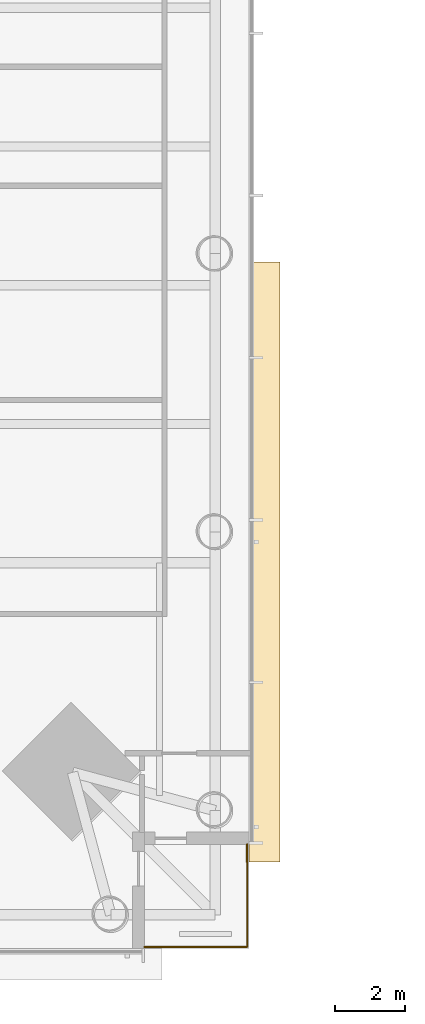
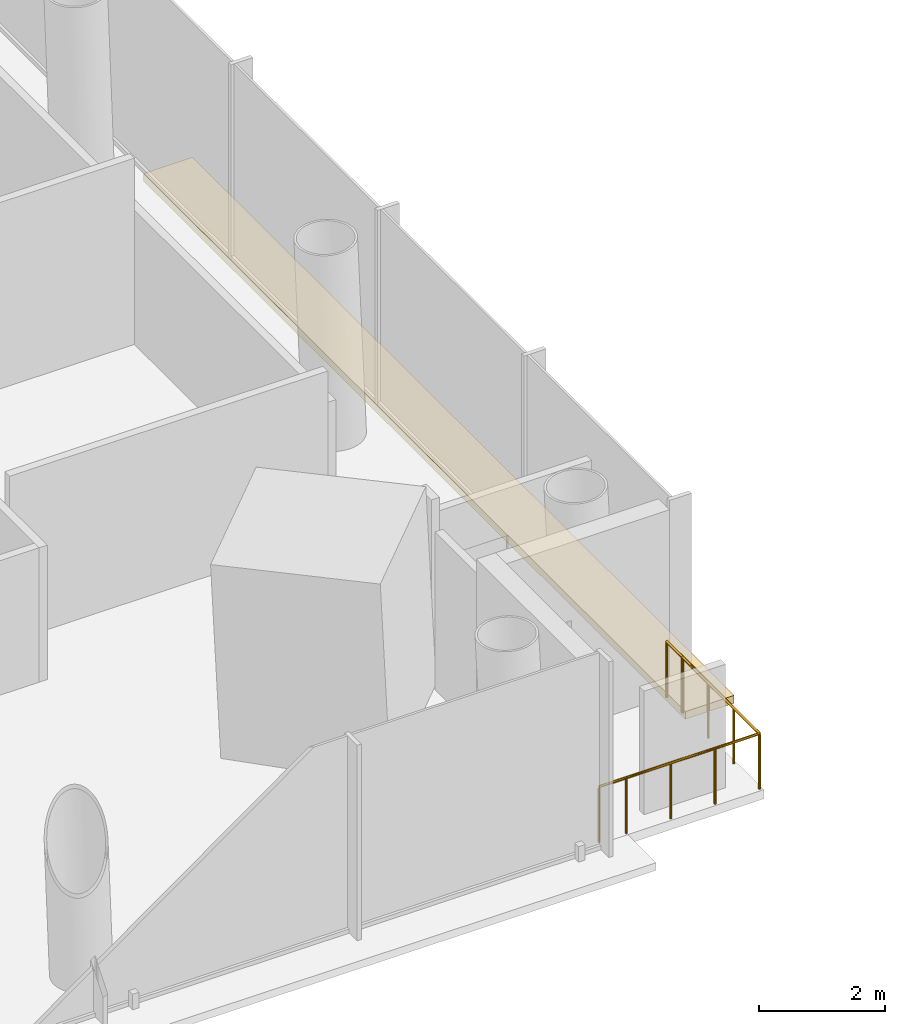
# One storey, part 24 of 26: 3 railings, 1 covering.
"""IFC4 building model written with IfcOpenShell, lengths in metres."""

import ifcopenshell
import ifcopenshell.guid

model = None  # the IFC model being written
_history = None  # IfcOwnerHistory: only IFC2X3 demands one
_inside = {}  # id of a spatial element -> (the spatial element, [elements in it])
_under = {}  # id of a project, library or spatial element -> (it, [spatial elements below it])
_declared = {}  # id of a project -> (the project, [libraries it declares])
_typed = {}  # id of a type object -> (the type object, [elements of that type])
_made_of = {}  # id of a material, layer set ... -> (it, [elements and type objects made of it])


def new_model(schema):
    """Start an empty IFC model of exactly this schema.

    Asked for "IFC4X3", IfcOpenShell would pick the latest addendum, in which some entities
    have other attributes; the version numbers below select the first issue.
    IFC2X3 requires an IfcOwnerHistory on every rooted entity: one is made here for all.
    """
    global model, _history
    if schema == "IFC4X3":
        model = ifcopenshell.file(schema_version=(4, 3, 0, 0))
    else:
        model = ifcopenshell.file(schema=schema)
    _inside.clear()
    _under.clear()
    _declared.clear()
    _typed.clear()
    _made_of.clear()
    _history = None
    if model.schema == "IFC2X3":
        org = make("IfcOrganization", Name="unknown")
        user = make(
            "IfcPersonAndOrganization",
            ThePerson=make("IfcPerson", FamilyName="unknown"),
            TheOrganization=org,
        )
        app = make(
            "IfcApplication",
            ApplicationDeveloper=org,
            Version="unknown",
            ApplicationFullName="unknown",
            ApplicationIdentifier="unknown",
        )
        _history = make(
            "IfcOwnerHistory",
            OwningUser=user,
            OwningApplication=app,
            ChangeAction="ADDED",
            CreationDate=0,
        )
    return model


def make(cls, **values):
    """One entity of the class cls with the attributes given. An attribute that is None is left unset."""
    return model.create_entity(
        cls, **{name: value for name, value in values.items() if value is not None}
    )


def rooted(cls, **values):
    """An entity with a GlobalId (a new one), such as an element, a storey or a relation."""
    return make(cls, GlobalId=ifcopenshell.guid.new(), OwnerHistory=_history, **values)


def si_unit(unit_type, name, prefix=None):
    """IfcSIUnit, for example si_unit("LENGTHUNIT", "METRE", prefix="MILLI")."""
    return make("IfcSIUnit", UnitType=unit_type, Prefix=prefix, Name=name)


def assignment(units):
    """IfcUnitAssignment: the units of a project."""
    return None if units is None else make("IfcUnitAssignment", Units=units)


def point(xyz):
    """IfcCartesianPoint."""
    return None if xyz is None else make("IfcCartesianPoint", Coordinates=xyz)


def direction(xyz):
    """IfcDirection."""
    return None if xyz is None else make("IfcDirection", DirectionRatios=xyz)


def frame(location, z_axis=None, x_axis=None):
    """IfcAxis2Placement3D, a coordinate frame: its origin and axes. An axis left out is left unset."""
    return make(
        "IfcAxis2Placement3D",
        Location=point(location),
        Axis=direction(z_axis),
        RefDirection=direction(x_axis),
    )


def frame_2d(location, x_axis=None):
    """IfcAxis2Placement2D, a coordinate frame in the plane: its origin and x axis."""
    return make(
        "IfcAxis2Placement2D", Location=point(location), RefDirection=direction(x_axis)
    )


def origin():
    """The frame at (0, 0, 0) with its axes left unset."""
    return frame((0.0, 0.0, 0.0))


def origin_2d():
    """The frame at (0, 0) in the plane with its x axis left unset."""
    return frame_2d((0.0, 0.0))


def place(relative_to, where):
    """IfcLocalPlacement: puts the frame where relative to a parent placement (None: the world)."""
    return make(
        "IfcLocalPlacement", PlacementRelTo=relative_to, RelativePlacement=where
    )


def context(
    kind, dimensions, precision=None, world=None, true_north=None, identifier=None
):
    """IfcGeometricRepresentationContext, for example the 3D "Model" context."""
    return make(
        "IfcGeometricRepresentationContext",
        ContextIdentifier=identifier,
        ContextType=kind,
        CoordinateSpaceDimension=dimensions,
        Precision=precision,
        WorldCoordinateSystem=world,
        TrueNorth=true_north,
    )


def subcontext(parent, identifier, kind, view, scale=None):
    """IfcGeometricRepresentationSubContext, for example "Body" below "Model"."""
    return make(
        "IfcGeometricRepresentationSubContext",
        ContextIdentifier=identifier,
        ContextType=kind,
        ParentContext=parent,
        TargetScale=scale,
        TargetView=view,
    )


def project(units=None, contexts=None):
    """IfcProject with its units and contexts."""
    return rooted(
        "IfcProject",
        Name="project",
        RepresentationContexts=contexts,
        UnitsInContext=assignment(units),
    )


def spatial(cls, under=None, at=None, **own):
    """A site, building, storey or space (cls), placed at a placement, below another one or the project."""
    s = rooted(cls, ObjectPlacement=at, **own)
    if under is not None:
        _under.setdefault(under.id(), (under, []))[1].append(s)
    return s


def polyline(points):
    """IfcPolyline through the points."""
    return make("IfcPolyline", Points=[point(p) for p in points])


def profile(cls, at=None, kind="AREA", **sizes):
    """A parametric profile (cls). Its sizes go by their IFC names, for example OverallWidth=200.0."""
    return make(cls, ProfileType=kind, Position=at, **sizes)


def circle(**sizes):
    """IfcCircleProfileDef."""
    return profile("IfcCircleProfileDef", **sizes)


def outline(outer, holes=None, kind="AREA"):
    """IfcArbitraryClosedProfileDef: a profile drawn as a closed curve; with holes, ...WithVoids."""
    if holes is None:
        return make("IfcArbitraryClosedProfileDef", ProfileType=kind, OuterCurve=outer)
    return make(
        "IfcArbitraryProfileDefWithVoids",
        ProfileType=kind,
        OuterCurve=outer,
        InnerCurves=holes,
    )


def extrude(swept, where, along, depth):
    """IfcExtrudedAreaSolid: the profile swept, set in the frame where, extruded along a direction by depth."""
    return make(
        "IfcExtrudedAreaSolid",
        SweptArea=swept,
        Position=where,
        ExtrudedDirection=direction(along),
        Depth=depth,
    )


def shape(context_of_items, identifier, shape_type, items):
    """IfcShapeRepresentation: the items that make up one representation, for example the "Body"."""
    return make(
        "IfcShapeRepresentation",
        ContextOfItems=context_of_items,
        RepresentationIdentifier=identifier,
        RepresentationType=shape_type,
        Items=items,
    )


def material(Name=None, Category=None):
    """IfcMaterial."""
    return make("IfcMaterial", Name=Name, Category=Category)


def layer(
    of_material, thickness, ventilated=None, Name=None, Category=None, Priority=None
):
    """IfcMaterialLayer: one layer of a wall or slab, of a material (None: an air gap)."""
    return make(
        "IfcMaterialLayer",
        Material=of_material,
        LayerThickness=thickness,
        IsVentilated=ventilated,
        Name=Name,
        Category=Category,
        Priority=Priority,
    )


def layer_set(layers, Name=None):
    """IfcMaterialLayerSet."""
    return make("IfcMaterialLayerSet", MaterialLayers=layers, LayerSetName=Name)


def made_of(thing, what):
    """Note that an element or type object is made of a material, layer set ...; save() writes the relation."""
    if what is not None:
        _made_of.setdefault(what.id(), (what, []))[1].append(thing)
    return thing


def type_object(cls, material=None, **own):
    """A type object (cls), such as IfcWallType, which elements share."""
    return made_of(rooted(cls, **own), material)


def element(
    cls,
    number,
    at=None,
    inside=None,
    cuts=None,
    type_object=None,
    material=None,
    context=None,
    identifier="Body",
    shape_type=None,
    held_by="IfcProductDefinitionShape",
    body=None,
    shapes=None,
    **own,
):
    """One element of the class cls, such as IfcWall. Its Tag is "e" and its number.

    at: its placement. inside: the storey or other place that contains it. cuts: it is an
    opening in that element (IfcRelVoidsElement). A single representation is given by context,
    identifier, shape_type and body (its items); several are given by shapes. held_by: the class
    of the entity that holds the representations. save() writes the other relations.
    """
    e = rooted(cls, Tag="e%d" % number, ObjectPlacement=at, **own)
    if body is not None:
        shapes = [shape(context, identifier, shape_type, body)]
    if shapes is not None:
        e.Representation = make(held_by, Representations=shapes)
    if inside is not None:
        _inside.setdefault(inside.id(), (inside, []))[1].append(e)
    if cuts is not None:
        rooted(
            "IfcRelVoidsElement", RelatingBuildingElement=cuts, RelatedOpeningElement=e
        )
    if type_object is not None:
        _typed.setdefault(type_object.id(), (type_object, []))[1].append(e)
    return made_of(e, material)


def aggregate(whole, parts):
    """IfcRelAggregates: a whole, such as a stair, and the parts it consists of."""
    return rooted("IfcRelAggregates", RelatingObject=whole, RelatedObjects=parts)


def save(model, path):
    """Write the relations noted so far, then the file.

    IfcRelAggregates (storeys below a building ...), IfcRelContainedInSpatialStructure (elements
    in a storey), IfcRelDefinesByType, IfcRelAssociatesMaterial and IfcRelDeclares: one each for
    every whole, place, type object, material and project.
    """
    for whole, parts in _under.values():
        aggregate(whole, parts)
    for where, things in _inside.values():
        rooted(
            "IfcRelContainedInSpatialStructure",
            RelatedElements=things,
            RelatingStructure=where,
        )
    for kind, things in _typed.values():
        rooted("IfcRelDefinesByType", RelatedObjects=things, RelatingType=kind)
    for what, things in _made_of.values():
        rooted("IfcRelAssociatesMaterial", RelatedObjects=things, RelatingMaterial=what)
    for by, libraries in _declared.values():
        rooted("IfcRelDeclares", RelatingContext=by, RelatedDefinitions=libraries)
    model.write(path)


model = new_model("IFC4")

# Units and contexts
model_context = context("Model", 3, precision=1e-05, world=origin(), true_north=direction((0.0, 1.0)))
body_context = subcontext(model_context, "Body", "Model", "MODEL_VIEW")
ifc_project = project(units=[si_unit("LENGTHUNIT", "METRE"), si_unit("AREAUNIT", "SQUARE_METRE"), si_unit("VOLUMEUNIT", "CUBIC_METRE"), si_unit("PLANEANGLEUNIT", "RADIAN"), si_unit("MASSUNIT", "GRAM", prefix="KILO")], contexts=[model_context])

# Site, building, storey
site_placement = place(None, origin())
site = spatial("IfcSite", under=ifc_project, at=site_placement, CompositionType="ELEMENT")
building_placement = place(site_placement, origin())
building = spatial("IfcBuilding", under=site, at=building_placement, Name="Ostroluk Exchange", CompositionType="ELEMENT")
storey_placement = place(building_placement, frame((0.0, 0.0, 51.39990234375)))
storey = spatial("IfcBuildingStorey", under=building, at=storey_placement, Name="L12", CompositionType="ELEMENT", Elevation=51.39990234375)

# Railings
ifc_material_1 = material(Name="Stainless steel", Category="steel")
railing_type_1 = type_object("IfcRailingType", Name="Guard 1100 stainless steel", PredefinedType="GUARDRAIL", material=ifc_material_1)
railing_1_placement = place(storey_placement, frame((66.5, 22.050048828125, 0.0)))
element("IfcRailing", 1, at=railing_1_placement, inside=storey, type_object=railing_type_1, Name="Office tower SE balcony guard L12", PredefinedType="GUARDRAIL", context=body_context, shape_type="SweptSolid", body=[
    extrude(circle(Radius=0.02392578125, at=origin_2d()), frame((0.0, 0.0, 1.076171875), z_axis=(1.0, 0.0, 0.0), x_axis=(0.0, 1.0, 0.0)), (0.0, 0.0, 1.0), 2.449951171875),
    extrude(circle(Radius=0.02392578125, at=origin_2d()), frame((2.449951171875, 0.0, 1.076171875), z_axis=(0.0, 1.0, 0.0), x_axis=(-1.0, 0.0, 0.0)), (0.0, 0.0, 1.0), 2.449951171875),
    extrude(circle(Radius=0.02099609375, at=origin_2d()), origin(), (0.0, 0.0, 1.0), 1.052001953125),
    extrude(circle(Radius=0.02099609375, at=origin_2d()), frame((0.816650390625, 0.0, 0.0)), (0.0, 0.0, 1.0), 1.052001953125),
    extrude(circle(Radius=0.02099609375, at=origin_2d()), frame((1.63330078125, 0.0, 0.0)), (0.0, 0.0, 1.0), 1.052001953125),
    extrude(circle(Radius=0.02099609375, at=origin_2d()), frame((2.449951171875, 0.0, 0.0)), (0.0, 0.0, 1.0), 1.052001953125),
    extrude(circle(Radius=0.02099609375, at=origin_2d()), frame((2.449951171875, 0.816650390625, 0.0)), (0.0, 0.0, 1.0), 1.052001953125),
    extrude(circle(Radius=0.02099609375, at=origin_2d()), frame((2.449951171875, 1.63330078125, 0.0)), (0.0, 0.0, 1.0), 1.052001953125),
    extrude(circle(Radius=0.02099609375, at=origin_2d()), frame((2.449951171875, 2.449951171875, 0.0)), (0.0, 0.0, 1.0), 1.052001953125),
])
ifc_material_2 = material(Name="Stainless steel", Category="steel")
railing_type_2 = type_object("IfcRailingType", Name="Lockable maintenance gate 1100", PredefinedType="GUARDRAIL", material=ifc_material_2)
railing_2_placement = place(storey_placement, frame((66.0, 22.050048828125, 0.0)))
element("IfcRailing", 2, at=railing_2_placement, inside=storey, type_object=railing_type_2, Name="Lockable maintenance gate T1 L12 SE", PredefinedType="GUARDRAIL", context=body_context, shape_type="SweptSolid", body=[
    extrude(circle(Radius=0.02392578125, at=origin_2d()), frame((0.0, 0.0, 1.076171875), z_axis=(1.0, 0.0, 0.0), x_axis=(0.0, 1.0, 0.0)), (0.0, 0.0, 1.0), 0.5),
    extrude(circle(Radius=0.02099609375, at=origin_2d()), origin(), (0.0, 0.0, 1.0), 1.052001953125),
    extrude(circle(Radius=0.02099609375, at=origin_2d()), frame((0.5, 0.0, 0.0)), (0.0, 0.0, 1.0), 1.052001953125),
])
railing_3_placement = place(storey_placement, frame((68.949951171875, 24.5, 0.0)))
element("IfcRailing", 3, at=railing_3_placement, inside=storey, type_object=railing_type_2, Name="Lockable maintenance gate T1 L12 SE", PredefinedType="GUARDRAIL", context=body_context, shape_type="SweptSolid", body=[
    extrude(circle(Radius=0.02392578125, at=origin_2d()), frame((0.0, 0.0, 1.076171875), z_axis=(0.0, 1.0, 0.0), x_axis=(-1.0, 0.0, 0.0)), (0.0, 0.0, 1.0), 0.5),
    extrude(circle(Radius=0.02099609375, at=origin_2d()), origin(), (0.0, 0.0, 1.0), 1.052001953125),
    extrude(circle(Radius=0.02099609375, at=origin_2d()), frame((0.0, 0.5, 0.0)), (0.0, 0.0, 1.0), 1.052001953125),
])

# Covering
ifc_material_3 = material(Name="Insulated steel roof deck with membrane, laid to falls, aluminium coping", Category="steel")
ifc_layer = layer(ifc_material_3, 0.14990234375)
ifc_layer_set = layer_set([ifc_layer], Name="Setback maintenance roof")
covering_type = type_object("IfcCoveringType", Name="Setback maintenance roof", PredefinedType="ROOFING", material=ifc_layer_set)
covering_placement = place(storey_placement, frame((0.0, 0.0, -0.14990234375)))
element("IfcCovering", 4, at=covering_placement, inside=storey, type_object=covering_type, Name="Maintenance roof, setback L12 east", PredefinedType="ROOFING", context=body_context, shape_type="SweptSolid", body=[
    extrude(outline(polyline([(69.0, 41.75), (69.89990234375, 41.75), (69.89990234375, 24.5), (69.0, 24.5), (69.0, 41.75)])), origin(), (0.0, 0.0, 1.0), 0.14990234375),
])

save(model, "model.ifc")
